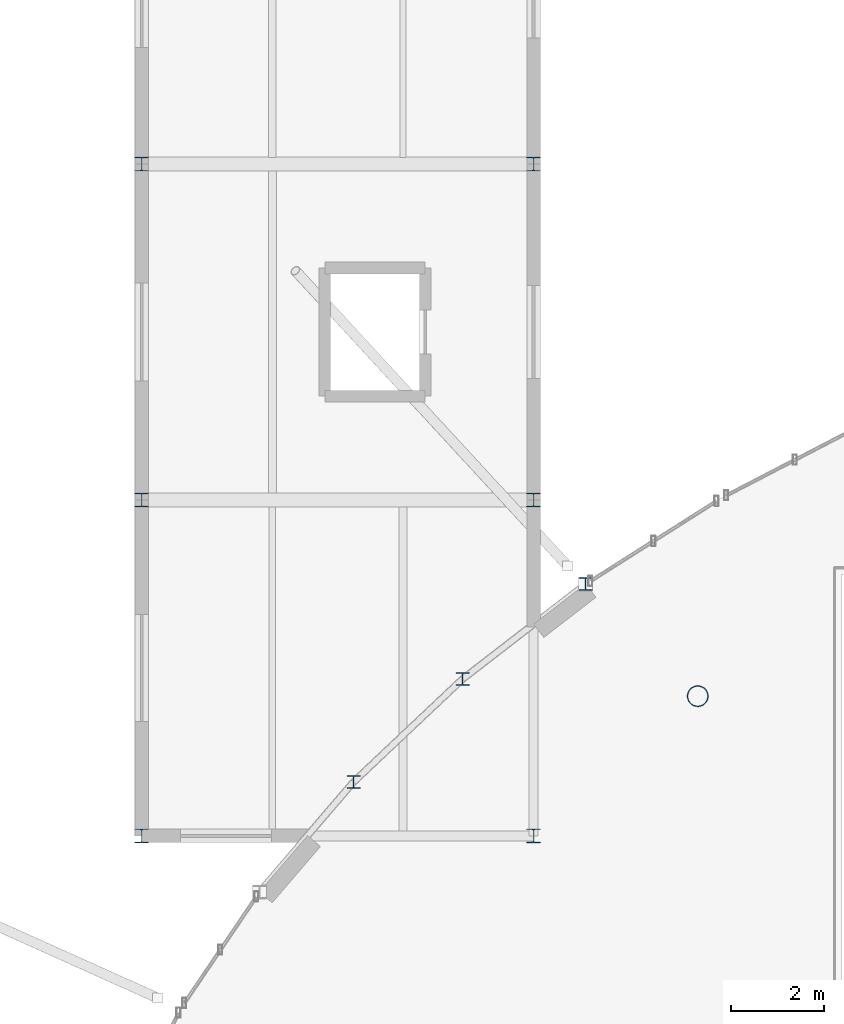
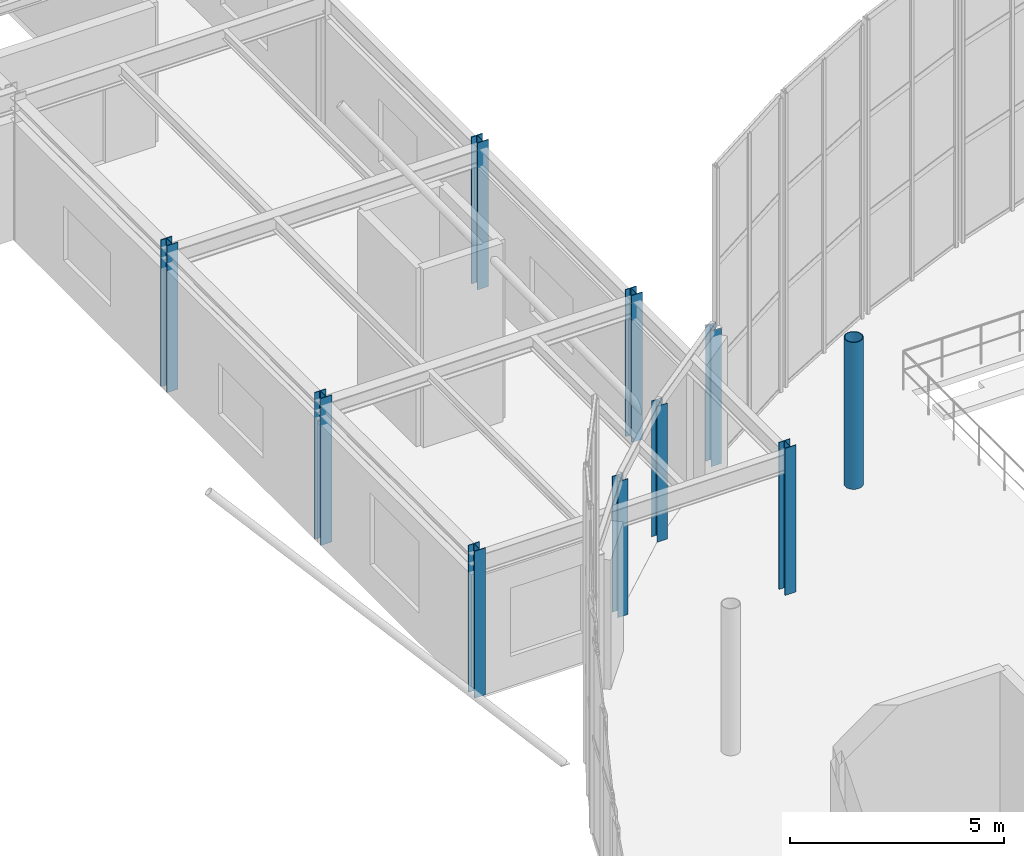
# One storey, part 8 of 109: 10 columns.
"""IFC4 building model written with IfcOpenShell, lengths in metres."""

import ifcopenshell
import ifcopenshell.guid

model = None  # the IFC model being written
_history = None  # IfcOwnerHistory: only IFC2X3 demands one
_inside = {}  # id of a spatial element -> (the spatial element, [elements in it])
_under = {}  # id of a project, library or spatial element -> (it, [spatial elements below it])
_declared = {}  # id of a project -> (the project, [libraries it declares])
_typed = {}  # id of a type object -> (the type object, [elements of that type])
_made_of = {}  # id of a material, layer set ... -> (it, [elements and type objects made of it])


def new_model(schema):
    """Start an empty IFC model of exactly this schema.

    Asked for "IFC4X3", IfcOpenShell would pick the latest addendum, in which some entities
    have other attributes; the version numbers below select the first issue.
    IFC2X3 requires an IfcOwnerHistory on every rooted entity: one is made here for all.
    """
    global model, _history
    if schema == "IFC4X3":
        model = ifcopenshell.file(schema_version=(4, 3, 0, 0))
    else:
        model = ifcopenshell.file(schema=schema)
    _inside.clear()
    _under.clear()
    _declared.clear()
    _typed.clear()
    _made_of.clear()
    _history = None
    if model.schema == "IFC2X3":
        org = make("IfcOrganization", Name="unknown")
        user = make(
            "IfcPersonAndOrganization",
            ThePerson=make("IfcPerson", FamilyName="unknown"),
            TheOrganization=org,
        )
        app = make(
            "IfcApplication",
            ApplicationDeveloper=org,
            Version="unknown",
            ApplicationFullName="unknown",
            ApplicationIdentifier="unknown",
        )
        _history = make(
            "IfcOwnerHistory",
            OwningUser=user,
            OwningApplication=app,
            ChangeAction="ADDED",
            CreationDate=0,
        )
    return model


def make(cls, **values):
    """One entity of the class cls with the attributes given. An attribute that is None is left unset."""
    return model.create_entity(
        cls, **{name: value for name, value in values.items() if value is not None}
    )


def rooted(cls, **values):
    """An entity with a GlobalId (a new one), such as an element, a storey or a relation."""
    return make(cls, GlobalId=ifcopenshell.guid.new(), OwnerHistory=_history, **values)


def si_unit(unit_type, name, prefix=None):
    """IfcSIUnit, for example si_unit("LENGTHUNIT", "METRE", prefix="MILLI")."""
    return make("IfcSIUnit", UnitType=unit_type, Prefix=prefix, Name=name)


def derived_unit(unit_type, elements):
    """IfcDerivedUnit: a product of units, each with its exponent."""
    return make(
        "IfcDerivedUnit",
        Elements=[
            make("IfcDerivedUnitElement", Unit=unit, Exponent=power)
            for unit, power in elements
        ],
        UnitType=unit_type,
    )


def assignment(units):
    """IfcUnitAssignment: the units of a project."""
    return None if units is None else make("IfcUnitAssignment", Units=units)


def point(xyz):
    """IfcCartesianPoint."""
    return None if xyz is None else make("IfcCartesianPoint", Coordinates=xyz)


def direction(xyz):
    """IfcDirection."""
    return None if xyz is None else make("IfcDirection", DirectionRatios=xyz)


def frame(location, z_axis=None, x_axis=None):
    """IfcAxis2Placement3D, a coordinate frame: its origin and axes. An axis left out is left unset."""
    return make(
        "IfcAxis2Placement3D",
        Location=point(location),
        Axis=direction(z_axis),
        RefDirection=direction(x_axis),
    )


def frame_2d(location, x_axis=None):
    """IfcAxis2Placement2D, a coordinate frame in the plane: its origin and x axis."""
    return make(
        "IfcAxis2Placement2D", Location=point(location), RefDirection=direction(x_axis)
    )


def origin():
    """The frame at (0, 0, 0) with its axes left unset."""
    return frame((0.0, 0.0, 0.0))


def origin_2d():
    """The frame at (0, 0) in the plane with its x axis left unset."""
    return frame_2d((0.0, 0.0))


def place(relative_to, where):
    """IfcLocalPlacement: puts the frame where relative to a parent placement (None: the world)."""
    return make(
        "IfcLocalPlacement", PlacementRelTo=relative_to, RelativePlacement=where
    )


def context(
    kind, dimensions, precision=None, world=None, true_north=None, identifier=None
):
    """IfcGeometricRepresentationContext, for example the 3D "Model" context."""
    return make(
        "IfcGeometricRepresentationContext",
        ContextIdentifier=identifier,
        ContextType=kind,
        CoordinateSpaceDimension=dimensions,
        Precision=precision,
        WorldCoordinateSystem=world,
        TrueNorth=true_north,
    )


def subcontext(parent, identifier, kind, view, scale=None):
    """IfcGeometricRepresentationSubContext, for example "Body" below "Model"."""
    return make(
        "IfcGeometricRepresentationSubContext",
        ContextIdentifier=identifier,
        ContextType=kind,
        ParentContext=parent,
        TargetScale=scale,
        TargetView=view,
    )


def project(units=None, contexts=None):
    """IfcProject with its units and contexts."""
    return rooted(
        "IfcProject",
        Name="project",
        RepresentationContexts=contexts,
        UnitsInContext=assignment(units),
    )


def spatial(cls, under=None, at=None, **own):
    """A site, building, storey or space (cls), placed at a placement, below another one or the project."""
    s = rooted(cls, ObjectPlacement=at, **own)
    if under is not None:
        _under.setdefault(under.id(), (under, []))[1].append(s)
    return s


def profile(cls, at=None, kind="AREA", **sizes):
    """A parametric profile (cls). Its sizes go by their IFC names, for example OverallWidth=200.0."""
    return make(cls, ProfileType=kind, Position=at, **sizes)


def hollow_circle(**sizes):
    """IfcCircleHollowProfileDef."""
    return profile("IfcCircleHollowProfileDef", **sizes)


def i_section(**sizes):
    """IfcIShapeProfileDef."""
    return profile("IfcIShapeProfileDef", **sizes)


def extrude(swept, where, along, depth):
    """IfcExtrudedAreaSolid: the profile swept, set in the frame where, extruded along a direction by depth."""
    return make(
        "IfcExtrudedAreaSolid",
        SweptArea=swept,
        Position=where,
        ExtrudedDirection=direction(along),
        Depth=depth,
    )


def shape(context_of_items, identifier, shape_type, items):
    """IfcShapeRepresentation: the items that make up one representation, for example the "Body"."""
    return make(
        "IfcShapeRepresentation",
        ContextOfItems=context_of_items,
        RepresentationIdentifier=identifier,
        RepresentationType=shape_type,
        Items=items,
    )


def material(Name=None, Category=None):
    """IfcMaterial."""
    return make("IfcMaterial", Name=Name, Category=Category)


def material_profile(
    of_material, cross_section, Name=None, Category=None, Priority=None
):
    """IfcMaterialProfile: a cross section and its material."""
    return make(
        "IfcMaterialProfile",
        Name=Name,
        Material=of_material,
        Profile=cross_section,
        Priority=Priority,
        Category=Category,
    )


def profile_set(profiles, Name=None, composite=None):
    """IfcMaterialProfileSet."""
    return make(
        "IfcMaterialProfileSet",
        Name=Name,
        MaterialProfiles=profiles,
        CompositeProfile=composite,
    )


def made_of(thing, what):
    """Note that an element or type object is made of a material, layer set ...; save() writes the relation."""
    if what is not None:
        _made_of.setdefault(what.id(), (what, []))[1].append(thing)
    return thing


def type_object(cls, material=None, **own):
    """A type object (cls), such as IfcWallType, which elements share."""
    return made_of(rooted(cls, **own), material)


def element(
    cls,
    number,
    at=None,
    inside=None,
    cuts=None,
    type_object=None,
    material=None,
    context=None,
    identifier="Body",
    shape_type=None,
    held_by="IfcProductDefinitionShape",
    body=None,
    shapes=None,
    **own,
):
    """One element of the class cls, such as IfcWall. Its Tag is "e" and its number.

    at: its placement. inside: the storey or other place that contains it. cuts: it is an
    opening in that element (IfcRelVoidsElement). A single representation is given by context,
    identifier, shape_type and body (its items); several are given by shapes. held_by: the class
    of the entity that holds the representations. save() writes the other relations.
    """
    e = rooted(cls, Tag="e%d" % number, ObjectPlacement=at, **own)
    if body is not None:
        shapes = [shape(context, identifier, shape_type, body)]
    if shapes is not None:
        e.Representation = make(held_by, Representations=shapes)
    if inside is not None:
        _inside.setdefault(inside.id(), (inside, []))[1].append(e)
    if cuts is not None:
        rooted(
            "IfcRelVoidsElement", RelatingBuildingElement=cuts, RelatedOpeningElement=e
        )
    if type_object is not None:
        _typed.setdefault(type_object.id(), (type_object, []))[1].append(e)
    return made_of(e, material)


def aggregate(whole, parts):
    """IfcRelAggregates: a whole, such as a stair, and the parts it consists of."""
    return rooted("IfcRelAggregates", RelatingObject=whole, RelatedObjects=parts)


def save(model, path):
    """Write the relations noted so far, then the file.

    IfcRelAggregates (storeys below a building ...), IfcRelContainedInSpatialStructure (elements
    in a storey), IfcRelDefinesByType, IfcRelAssociatesMaterial and IfcRelDeclares: one each for
    every whole, place, type object, material and project.
    """
    for whole, parts in _under.values():
        aggregate(whole, parts)
    for where, things in _inside.values():
        rooted(
            "IfcRelContainedInSpatialStructure",
            RelatedElements=things,
            RelatingStructure=where,
        )
    for kind, things in _typed.values():
        rooted("IfcRelDefinesByType", RelatedObjects=things, RelatingType=kind)
    for what, things in _made_of.values():
        rooted("IfcRelAssociatesMaterial", RelatedObjects=things, RelatingMaterial=what)
    for by, libraries in _declared.values():
        rooted("IfcRelDeclares", RelatingContext=by, RelatedDefinitions=libraries)
    model.write(path)


model = new_model("IFC4")

# Units and contexts
model_context = context("Model", 3, precision=1e-05, world=origin(), true_north=direction((0.0, 1.0)))
body_context = subcontext(model_context, "Body", "Model", "MODEL_VIEW")
ifc_project = project(units=[si_unit("LENGTHUNIT", "METRE"), si_unit("AREAUNIT", "SQUARE_METRE"), si_unit("VOLUMEUNIT", "CUBIC_METRE"), si_unit("PLANEANGLEUNIT", "RADIAN"), si_unit("MASSUNIT", "GRAM", prefix="KILO"), derived_unit("THERMALTRANSMITTANCEUNIT", [(si_unit("MASSUNIT", "GRAM", prefix="KILO"), 1), (si_unit("TIMEUNIT", "SECOND"), -3), (si_unit("THERMODYNAMICTEMPERATUREUNIT", "KELVIN"), -1)])], contexts=[model_context])

# Site, building, storey
site_placement = place(None, origin())
site = spatial("IfcSite", under=ifc_project, at=site_placement, CompositionType="ELEMENT")
building_placement = place(site_placement, origin())
building = spatial("IfcBuilding", under=site, at=building_placement, Name="Kharveza Railside Sports Centre", CompositionType="ELEMENT")
storey_placement = place(building_placement, frame((0.0, 0.0, 4.5)))
storey = spatial("IfcBuildingStorey", under=building, at=storey_placement, Name="L01", CompositionType="ELEMENT", Elevation=4.5)

# Columns
ifc_material = material(Name="Steel S355J2", Category="steel")
ifc_material_profile_1 = material_profile(ifc_material, i_section(OverallWidth=0.300048828125, OverallDepth=0.300048828125, WebThickness=0.010986328125, FlangeThickness=0.01904296875, FilletRadius=0.027099609375, at=origin_2d()), Name="HEB 300")
ifc_profile_set_1 = profile_set([ifc_material_profile_1], Name="Steel S355J2")
column_type_1 = type_object("IfcColumnType", Name="COL-S07", PredefinedType="COLUMN", material=ifc_profile_set_1)
for number, where, z_axis, x_axis, name in (
    (1, (16.800048828125, 64.800048828125, 0.0), (0.0, 0.0, 1.0), (1.0, 0.0, 0.0), "COL-G-C07-X168-Y648-L01"),
    (2, (16.800048828125, 72.0, 0.0), (0.0, 0.0, 1.0), (1.0, 0.0, 0.0), "COL-G-C07-X168-Y720-L01"),
    (3, (16.800048828125, 79.199951171875, 0.0), (0.0, 0.0, 1.0), (1.0, 0.0, 0.0), "COL-G-C07-X168-Y792-L01"),
    (4, (25.199951171875, 64.800048828125, 0.0), (0.0, 0.0, 1.0), (1.0, 0.0, 0.0), "COL-G-C07-X252-Y648-L01"),
    (5, (25.199951171875, 72.0, 0.0), (0.0, 0.0, 1.0), (1.0, 0.0, 0.0), "COL-G-C07-X252-Y720-L01"),
    (6, (25.199951171875, 79.199951171875, 0.0), (0.0, 0.0, 1.0), (1.0, 0.0, 0.0), "COL-G-C07-X252-Y792-L01"),
):
    element("IfcColumn", number, at=place(storey_placement, frame(where, z_axis=z_axis, x_axis=x_axis)), inside=storey, type_object=column_type_1, Name=name, PredefinedType="COLUMN", context=body_context, shape_type="SweptSolid", body=[
        extrude(i_section(OverallWidth=0.300048828125, OverallDepth=0.300048828125, WebThickness=0.010986328125, FlangeThickness=0.01904296875, FilletRadius=0.027099609375, at=origin_2d()), origin(), (0.0, 0.0, 1.0), 4.199951171875),
    ])
ifc_material_profile_2 = material_profile(ifc_material, i_section(OverallWidth=0.280029296875, OverallDepth=0.27001953125, WebThickness=0.008056640625, FlangeThickness=0.012939453125, FilletRadius=0.02392578125, at=origin_2d()), Name="HEA 280")
ifc_profile_set_2 = profile_set([ifc_material_profile_2], Name="Steel S355J2")
column_type_2 = type_object("IfcColumnType", Name="COL-S13", PredefinedType="COLUMN", material=ifc_profile_set_2)
for number, where, z_axis, x_axis, name in (
    (7, (26.315673828125, 70.198974609375, 0.0), (0.0, 0.0, 1.0), (1.0, 0.0, 0.0), "COL-DSILL-L01-26p32-70p2"),
    (8, (23.6796875, 68.1630859375, 0.0), (0.0, 0.0, 1.0), (1.0, 0.0, 0.0), "COL-DSILL-L01-23p68-68p16"),
    (9, (21.34130859375, 65.9560546875, 0.0), (0.0, 0.0, 1.0), (1.0, 0.0, 0.0), "COL-DSILL-L01-21p34-65p96"),
):
    element("IfcColumn", number, at=place(storey_placement, frame(where, z_axis=z_axis, x_axis=x_axis)), inside=storey, type_object=column_type_2, Name=name, PredefinedType="COLUMN", context=body_context, shape_type="SweptSolid", body=[
        extrude(i_section(OverallWidth=0.280029296875, OverallDepth=0.27001953125, WebThickness=0.008056640625, FlangeThickness=0.012939453125, FilletRadius=0.02392578125, at=origin_2d()), origin(), (0.0, 0.0, 1.0), 3.8798828125),
    ])
ifc_material_profile_3 = material_profile(ifc_material, hollow_circle(Radius=0.228515625, WallThickness=0.02001953125, at=origin_2d()), Name="CHS 457.0x20.0")
ifc_profile_set_3 = profile_set([ifc_material_profile_3], Name="Steel S355J2")
column_type_3 = type_object("IfcColumnType", Name="COL-T01", PredefinedType="COLUMN", material=ifc_profile_set_3)
column_placement = place(storey_placement, frame((28.719970703125, 67.794921875, 0.0), z_axis=(0.0, 0.0, 1.0), x_axis=(1.0, 0.0, 0.0)))
element("IfcColumn", 10, at=column_placement, inside=storey, type_object=column_type_3, Name="COL-DRUM-07-L01", PredefinedType="COLUMN", context=body_context, shape_type="SweptSolid", body=[
    extrude(hollow_circle(Radius=0.228515625, WallThickness=0.02001953125, at=origin_2d()), origin(), (0.0, 0.0, 1.0), 4.199951171875),
])

save(model, "model.ifc")
